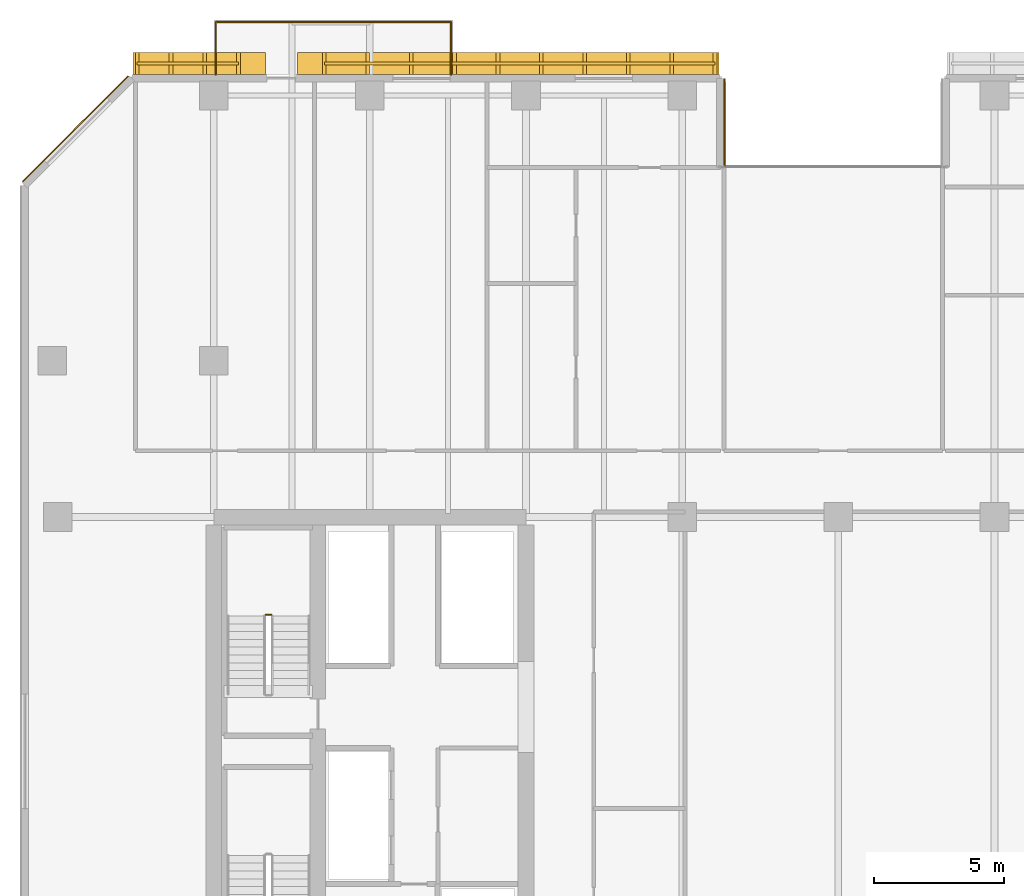
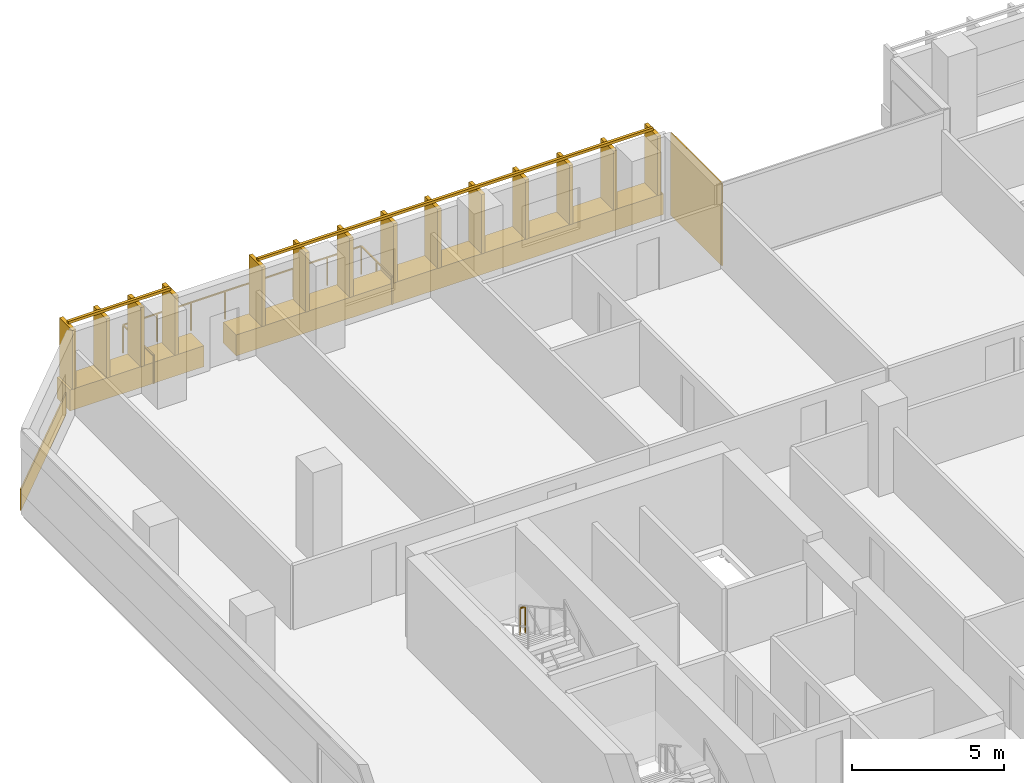
# One storey, part 21 of 25: 4 coverings, 4 railings.
"""IFC4 building model written with IfcOpenShell, lengths in metres."""

from ifc_helpers import new_model, si_unit, direction, frame, origin, origin_2d, place, context, subcontext, project, spatial, rectangle, extrude, material, layer, layer_set, type_object, element, save


model = new_model("IFC4")

# Units and contexts
model_context = context("Model", 3, precision=1e-05, world=origin(), true_north=direction((0.0, 1.0)))
body_context = subcontext(model_context, "Body", "Model", "MODEL_VIEW")
ifc_project = project(units=[si_unit("LENGTHUNIT", "METRE"), si_unit("AREAUNIT", "SQUARE_METRE"), si_unit("VOLUMEUNIT", "CUBIC_METRE"), si_unit("PLANEANGLEUNIT", "RADIAN"), si_unit("MASSUNIT", "GRAM", prefix="KILO")], contexts=[model_context])

# Site, building, storey
site_placement = place(None, origin())
site = spatial("IfcSite", under=ifc_project, at=site_placement, CompositionType="ELEMENT")
building_placement = place(site_placement, origin())
building = spatial("IfcBuilding", under=site, at=building_placement, Name="Tanjung Sevakor Pilgrim Tower", CompositionType="ELEMENT")
storey_placement = place(building_placement, frame((0.0, 0.0, 69.6298828125)))
storey = spatial("IfcBuildingStorey", under=building, at=storey_placement, Name="L19", CompositionType="ELEMENT", Elevation=69.6298828125)

# Coverings
ifc_material_1 = material(Name="Reconstructed Limestone Cladding", Category="masonry")
ifc_layer = layer(ifc_material_1, 0.044921875)
ifc_layer_set = layer_set([ifc_layer], Name="COV-CLAD-LIMESTONE")
covering_type = type_object("IfcCoveringType", Name="COV-CLAD-LIMESTONE", PredefinedType="CLADDING", material=ifc_layer_set)
covering_1_placement = place(storey_placement, frame((43.62255859375, 57.760009765625, 0.02001953125), z_axis=(0.0, 0.0, 1.0), x_axis=(0.0, 1.0, 0.0)))
element("IfcCovering", 1, at=covering_1_placement, inside=storey, type_object=covering_type, Name="L19 Warm Limestone Wall Cladding EW-L19-MAIN-12", PredefinedType="CLADDING", context=body_context, shape_type="SweptSolid", body=[
    extrude(rectangle(XDim=3.360107421875, YDim=0.044921875, at=origin_2d()), origin(), (0.0, 0.0, 1.0), 3.31005859375),
])
covering_2_placement = place(storey_placement, frame((35.31494140625, 60.030029296875, 0.01025390625), z_axis=(0.0, 0.0, 1.0), x_axis=(-1.0, 0.0, 0.0)))
element("IfcCovering", 2, at=covering_2_placement, inside=storey, type_object=covering_type, Name="L19 Warm Limestone Sill Spandrel EW-L19-MAIN-13-1", PredefinedType="CLADDING", context=body_context, shape_type="SweptSolid", body=[
    extrude(rectangle(XDim=16.2099609375, YDim=0.860107421875, at=origin_2d()), origin(), (0.0, 0.0, 1.0), 0.840087890625),
])
covering_3_placement = place(storey_placement, frame((23.444091796875, 60.030029296875, 0.01025390625), z_axis=(0.0, 0.0, 1.0), x_axis=(-1.0, 0.0, 0.0)))
element("IfcCovering", 3, at=covering_3_placement, inside=storey, type_object=covering_type, Name="L19 Warm Limestone Sill Spandrel EW-L19-MAIN-13-2", PredefinedType="CLADDING", context=body_context, shape_type="SweptSolid", body=[
    extrude(rectangle(XDim=5.092041015625, YDim=0.860107421875, at=origin_2d()), origin(), (0.0, 0.0, 1.0), 0.840087890625),
])
covering_4_placement = place(storey_placement, frame((18.68408203125, 57.515869140625, 0.01025390625), z_axis=(0.0, 0.0, 1.0), x_axis=(-0.707106781187, -0.707106781187, 0.0)))
element("IfcCovering", 4, at=covering_4_placement, inside=storey, type_object=covering_type, Name="L19 Warm Limestone Sill Spandrel EW-CHM-L19-MAIN-13-1", PredefinedType="CLADDING", context=body_context, shape_type="SweptSolid", body=[
    extrude(rectangle(XDim=5.74365234375, YDim=0.044921875, at=origin_2d()), origin(), (0.0, 0.0, 1.0), 0.840087890625),
])

# Railings
ifc_material_2 = material(Name="Laminated Glass and Aluminium", Category="aluminium")
railing_type_1 = type_object("IfcRailingType", Name="RL-BAL-BALUST", PredefinedType="BALUSTRADE", material=ifc_material_2)
railing_1_placement = place(storey_placement, frame((24.080078125, 59.60009765625, 0.0)))
element("IfcRailing", 5, at=railing_1_placement, inside=storey, type_object=railing_type_1, Name="L19 Loggia Balustrade MAIN-N1", PredefinedType="BALUSTRADE", context=body_context, shape_type="SweptSolid", body=[
    extrude(rectangle(XDim=0.0479, YDim=0.0479), frame((0.0, 0.0, 1.1259765625), z_axis=(0.0, 1.0, 0.0), x_axis=(-1.0, 0.0, 0.0)), (0.0, 0.0, 1.0), 2.02001953125),
    extrude(rectangle(XDim=0.0479, YDim=0.0479), frame((0.0, 2.02001953125, 1.1259765625), z_axis=(1.0, 0.0, 0.0), x_axis=(0.0, 1.0, 0.0)), (0.0, 0.0, 1.0), 9.0400390625),
    extrude(rectangle(XDim=0.0479, YDim=0.0479), frame((9.0400390625, 2.02001953125, 1.1259765625), z_axis=(0.0, -1.0, 0.0), x_axis=(1.0, 0.0, 0.0)), (0.0, 0.0, 1.0), 2.02001953125),
    extrude(rectangle(XDim=0.042, YDim=0.042), origin(), (0.0, 0.0, 1.0), 1.101806640625),
    extrude(rectangle(XDim=0.042, YDim=0.042), frame((0.0, 1.010009765625, 0.0)), (0.0, 0.0, 1.0), 1.101806640625),
    extrude(rectangle(XDim=0.042, YDim=0.042), frame((0.0, 2.02001953125, 0.0)), (0.0, 0.0, 1.0), 1.101806640625),
    extrude(rectangle(XDim=0.042, YDim=0.042), frame((1.29150390625, 2.02001953125, 0.0)), (0.0, 0.0, 1.0), 1.101806640625),
    extrude(rectangle(XDim=0.042, YDim=0.042), frame((2.582763671875, 2.02001953125, 0.0)), (0.0, 0.0, 1.0), 1.101806640625),
    extrude(rectangle(XDim=0.042, YDim=0.042), frame((3.874267578125, 2.02001953125, 0.0)), (0.0, 0.0, 1.0), 1.101806640625),
    extrude(rectangle(XDim=0.042, YDim=0.042), frame((5.165771484375, 2.02001953125, 0.0)), (0.0, 0.0, 1.0), 1.101806640625),
    extrude(rectangle(XDim=0.042, YDim=0.042), frame((6.457275390625, 2.02001953125, 0.0)), (0.0, 0.0, 1.0), 1.101806640625),
    extrude(rectangle(XDim=0.042, YDim=0.042), frame((7.74853515625, 2.02001953125, 0.0)), (0.0, 0.0, 1.0), 1.101806640625),
    extrude(rectangle(XDim=0.042, YDim=0.042), frame((9.0400390625, 2.02001953125, 0.0)), (0.0, 0.0, 1.0), 1.101806640625),
    extrude(rectangle(XDim=0.042, YDim=0.042), frame((9.0400390625, 1.010009765625, 0.0)), (0.0, 0.0, 1.0), 1.101806640625),
    extrude(rectangle(XDim=0.042, YDim=0.042), frame((9.0400390625, 0.0, 0.0)), (0.0, 0.0, 1.0), 1.101806640625),
])
ifc_material_3 = material(Name="Anodised Bronze Aluminium 6063-T6", Category="aluminium")
railing_type_2 = type_object("IfcRailingType", Name="RL-FIN-SCREEN", PredefinedType="BALUSTRADE", material=ifc_material_3)
railing_2_placement = place(storey_placement, frame((43.260009765625, 60.02490234375, 0.840087890625)))
element("IfcRailing", 6, at=railing_2_placement, inside=storey, type_object=railing_type_2, Name="L19 Vertical Bronze-Gold Solar Fin Screen FNSCR-EW-L19-MAIN-13-1", PredefinedType="BALUSTRADE", context=body_context, shape_type="SweptSolid", body=[
    extrude(rectangle(XDim=0.105, YDim=0.105), frame((0.0, 0.0, 2.427490234375), z_axis=(-1.0, 0.0, 0.0), x_axis=(0.0, -1.0, 0.0)), (0.0, 0.0, 1.0), 15.010009765625),
    extrude(rectangle(XDim=0.14, YDim=0.85), origin(), (0.0, 0.0, 1.0), 2.375),
    extrude(rectangle(XDim=0.14, YDim=0.85), frame((-1.667724609375, 0.0, 0.0)), (0.0, 0.0, 1.0), 2.375),
    extrude(rectangle(XDim=0.14, YDim=0.85), frame((-3.33544921875, 0.0, 0.0)), (0.0, 0.0, 1.0), 2.375),
    extrude(rectangle(XDim=0.14, YDim=0.85), frame((-5.00341796875, 0.0, 0.0)), (0.0, 0.0, 1.0), 2.375),
    extrude(rectangle(XDim=0.14, YDim=0.85), frame((-6.671142578125, 0.0, 0.0)), (0.0, 0.0, 1.0), 2.375),
    extrude(rectangle(XDim=0.14, YDim=0.85), frame((-8.3388671875, 0.0, 0.0)), (0.0, 0.0, 1.0), 2.375),
    extrude(rectangle(XDim=0.14, YDim=0.85), frame((-10.006591796875, 0.0, 0.0)), (0.0, 0.0, 1.0), 2.375),
    extrude(rectangle(XDim=0.14, YDim=0.85), frame((-11.674560546875, 0.0, 0.0)), (0.0, 0.0, 1.0), 2.375),
    extrude(rectangle(XDim=0.14, YDim=0.85), frame((-13.34228515625, 0.0, 0.0)), (0.0, 0.0, 1.0), 2.375),
    extrude(rectangle(XDim=0.14, YDim=0.85), frame((-15.010009765625, 0.0, 0.0)), (0.0, 0.0, 1.0), 2.375),
])
railing_3_placement = place(storey_placement, frame((24.949951171875, 60.02490234375, 0.840087890625)))
element("IfcRailing", 7, at=railing_3_placement, inside=storey, type_object=railing_type_2, Name="L19 Vertical Bronze-Gold Solar Fin Screen FNSCR-EW-L19-MAIN-13-2", PredefinedType="BALUSTRADE", context=body_context, shape_type="SweptSolid", body=[
    extrude(rectangle(XDim=0.105, YDim=0.105), frame((0.0, 0.0, 2.427490234375), z_axis=(-1.0, 0.0, 0.0), x_axis=(0.0, -1.0, 0.0)), (0.0, 0.0, 1.0), 3.891845703125),
    extrude(rectangle(XDim=0.14, YDim=0.85), origin(), (0.0, 0.0, 1.0), 2.375),
    extrude(rectangle(XDim=0.14, YDim=0.85), frame((-1.29736328125, 0.0, 0.0)), (0.0, 0.0, 1.0), 2.375),
    extrude(rectangle(XDim=0.14, YDim=0.85), frame((-2.594482421875, 0.0, 0.0)), (0.0, 0.0, 1.0), 2.375),
    extrude(rectangle(XDim=0.14, YDim=0.85), frame((-3.891845703125, 0.0, 0.0)), (0.0, 0.0, 1.0), 2.375),
])
ifc_material_4 = material(Name="Steel S355J2", Category="steel")
railing_type_3 = type_object("IfcRailingType", Name="RL-STAIR-GUARD", PredefinedType="GUARDRAIL", material=ifc_material_4)
railing_4_placement = place(storey_placement, frame((26.199951171875, 38.85009765625, 1.815185546875)))
element("IfcRailing", 8, at=railing_4_placement, inside=storey, type_object=railing_type_3, Name="L19 TS-W2 stair guard 2", PredefinedType="GUARDRAIL", context=body_context, shape_type="SweptSolid", body=[
    extrude(rectangle(XDim=0.0479, YDim=0.0479), frame((0.0, 0.0, 1.076171875), z_axis=(-1.0, 0.0, 0.0), x_axis=(0.0, -1.0, 0.0)), (0.0, 0.0, 1.0), 0.199951171875),
    extrude(rectangle(XDim=0.042, YDim=0.042), origin(), (0.0, 0.0, 1.0), 1.052001953125),
    extrude(rectangle(XDim=0.042, YDim=0.042), frame((-0.199951171875, 0.0, 0.0)), (0.0, 0.0, 1.0), 1.052001953125),
])

save(model, "model.ifc")
